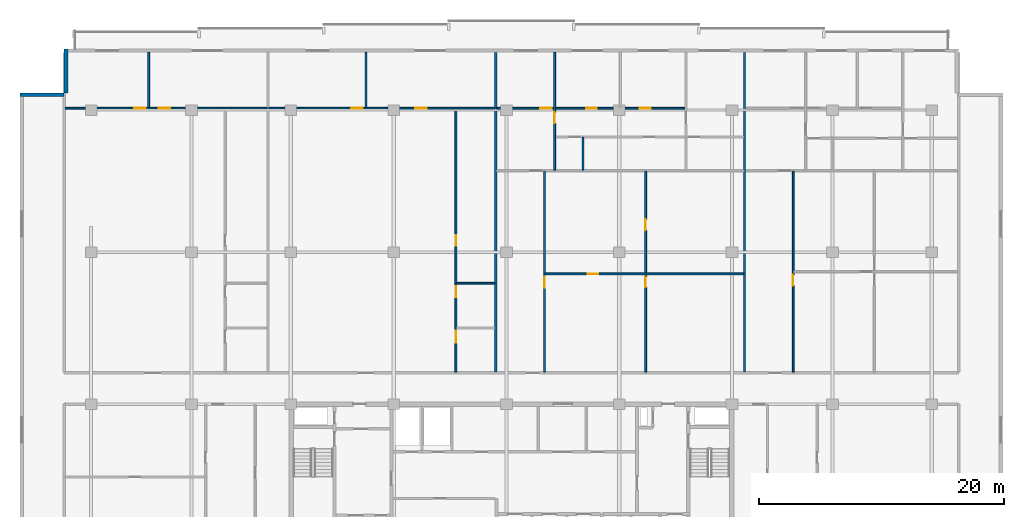
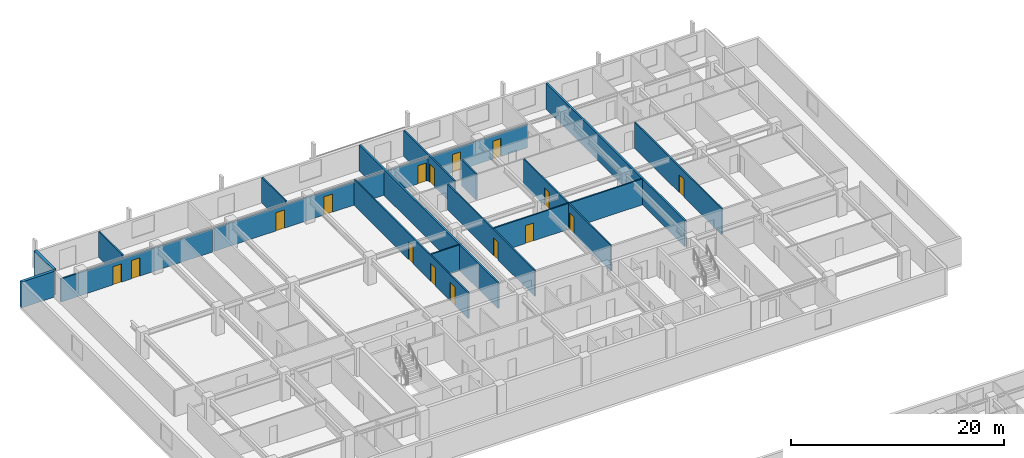
# One storey, part 14 of 22: 17 walls, 16 doors, 16 openings.
"""IFC4 building model written with IfcOpenShell, lengths in metres."""

from ifc_helpers import new_model, si_unit, direction, frame, frame_2d, origin, place, context, subcontext, project, spatial, rectangle, extrude, material, layer, layer_set, type_object, element, fill, save


model = new_model("IFC4")

# Units and contexts
model_context = context("Model", 3, precision=1e-05, world=origin(), true_north=direction((0.0, 1.0)))
body_context = subcontext(model_context, "Body", "Model", "MODEL_VIEW")
ifc_project = project(units=[si_unit("LENGTHUNIT", "METRE"), si_unit("AREAUNIT", "SQUARE_METRE"), si_unit("VOLUMEUNIT", "CUBIC_METRE"), si_unit("PLANEANGLEUNIT", "RADIAN"), si_unit("MASSUNIT", "GRAM", prefix="KILO")], contexts=[model_context])

# Site, building, storey
site_placement = place(None, origin())
site = spatial("IfcSite", under=ifc_project, at=site_placement, CompositionType="ELEMENT")
building_placement = place(site_placement, origin())
building = spatial("IfcBuilding", under=site, at=building_placement, Name="Korimba Cascade Residences", CompositionType="ELEMENT")
storey_placement = place(building_placement, frame((0.0, 0.0, 126.300048828125)))
storey = spatial("IfcBuildingStorey", under=building, at=storey_placement, Name="L36", CompositionType="ELEMENT", Elevation=126.300048828125)

# Walls
ifc_material_1 = material(Name="Precast concrete C40/50", Category="concrete")
ifc_layer_1 = layer(ifc_material_1, 0.300048828125)
ifc_layer_set_1 = layer_set([ifc_layer_1], Name="Precast concrete C40/50")
wall_type_1 = type_object("IfcWallType", Name="EW-STONE-300", PredefinedType="STANDARD", material=ifc_layer_set_1)
wall_1_placement = place(storey_placement, frame((57.75, 96.199951171875, 0.0), z_axis=(0.0, 0.0, 1.0), x_axis=(0.0, -1.0, 0.0)))
element("IfcWall", 1, at=wall_1_placement, inside=storey, type_object=wall_type_1, Name="L36 T1 Perimeter Stone Wall E07", PredefinedType="STANDARD", context=body_context, shape_type="SweptSolid", body=[
    extrude(rectangle(XDim=3.599853515625, YDim=0.300048828125, at=frame_2d((1.7998046875, 0.0))), origin(), (0.0, 0.0, 1.0), 2.969970703125),
])
wall_2_placement = place(storey_placement, frame((57.60009765625, 92.449951171875, 0.0), z_axis=(0.0, 0.0, 1.0), x_axis=(-1.0, 0.0, 0.0)))
element("IfcWall", 2, at=wall_2_placement, inside=storey, type_object=wall_type_1, Name="L36 T1 Perimeter Stone Wall E08", PredefinedType="STANDARD", context=body_context, shape_type="SweptSolid", body=[
    extrude(rectangle(XDim=3.60009765625, YDim=0.300048828125, at=frame_2d((1.800048828125, 0.0))), origin(), (0.0, 0.0, 1.0), 2.969970703125),
])
ifc_layer_2 = layer(ifc_material_1, 0.199951171875)
ifc_layer_set_2 = layer_set([ifc_layer_2], Name="Precast concrete C40/50")
wall_type_2 = type_object("IfcWallType", Name="WAL-IT-200", PredefinedType="PARTITIONING", material=ifc_layer_set_2)
for number, where, z_axis, x_axis, name in (
    (3, (92.83740234375, 69.830078125, 0.0), (0.0, 0.0, 1.0), (0.0, 1.0, 0.0), "L36 Partition Wall WAL-L36-T1-DEM-2"),
    (4, (113.125, 69.830078125, 0.0), (0.0, 0.0, 1.0), (0.0, 1.0, 0.0), "L36 Partition Wall WAL-L36-T1-DEM-3"),
):
    element("IfcWall", number, at=place(storey_placement, frame(where, z_axis=z_axis, x_axis=x_axis)), inside=storey, type_object=wall_type_2, Name=name, PredefinedType="PARTITIONING", context=body_context, shape_type="SweptSolid", body=[
        extrude(rectangle(XDim=26.06982421875, YDim=0.199951171875, at=frame_2d((13.034912109375, 0.0))), origin(), (0.0, 0.0, 1.0), 2.969970703125),
    ])
ifc_material_2 = material(Name="Insulated Acoustic Stud Partition", Category="gypsum")
ifc_layer_3 = layer(ifc_material_2, 0.14990234375)
ifc_layer_set_3 = layer_set([ifc_layer_3], Name="Insulated Acoustic Stud Partition")
wall_type_3 = type_object("IfcWallType", Name="WAL-PART-150", PredefinedType="PARTITIONING", material=ifc_layer_set_3)
wall_3_placement = place(storey_placement, frame((64.498779296875, 91.429931640625, 0.0), z_axis=(0.0, 0.0, 1.0), x_axis=(0.0, 1.0, 0.0)))
element("IfcWall", 5, at=wall_3_placement, inside=storey, type_object=wall_type_3, Name="L36 Partition Wall WAL-L36-T1-U01-OUTV", PredefinedType="PARTITIONING", context=body_context, shape_type="SweptSolid", body=[
    extrude(rectangle(XDim=4.469970703125, YDim=0.14990234375, at=frame_2d((2.23486328125, 0.0))), origin(), (0.0, 0.0, 1.0), 2.969970703125),
])

# Wall, openings, doors
wall_4_placement = place(storey_placement, frame((57.679931640625, 91.35009765625, 0.0), z_axis=(0.0, 0.0, 1.0), x_axis=(1.0, 0.0, 0.0)))
wall_4 = element("IfcWall", 6, at=wall_4_placement, inside=storey, type_object=wall_type_3, Name="L36 Partition Wall WAL-L36-T1-U01-HZ", PredefinedType="PARTITIONING", context=body_context, shape_type="SweptSolid", body=[
    extrude(rectangle(XDim=16.4775390625, YDim=0.14990234375, at=frame_2d((8.23876953125, 0.0))), origin(), (0.0, 0.0, 1.0), 2.663330078125),
])
opening_1_placement = place(wall_4_placement, frame((5.628662109375, 0.0, 0.0)))
opening_1 = element("IfcOpeningElement", 7, at=opening_1_placement, cuts=wall_4, Name="Opening D-IN0", PredefinedType="OPENING", context=body_context, shape_type="SweptSolid", body=[
    extrude(rectangle(XDim=0.93994140625, YDim=2.10009765625, at=frame_2d((0.469970703125, 1.050048828125))), frame((0.0, 0.0849609375, 0.0), z_axis=(0.0, -1.0, 0.0), x_axis=(1.0, 0.0, 0.0)), (0.0, 0.0, 1.0), 0.169921875),
])
opening_2_placement = place(wall_4_placement, frame((7.64453125, 0.0, 0.0)))
opening_2 = element("IfcOpeningElement", 8, at=opening_2_placement, cuts=wall_4, Name="Opening D-IN0", PredefinedType="OPENING", context=body_context, shape_type="SweptSolid", body=[
    extrude(rectangle(XDim=0.93994140625, YDim=2.10009765625, at=frame_2d((0.469970703125, 1.050048828125))), frame((0.0, 0.0849609375, 0.0), z_axis=(0.0, -1.0, 0.0), x_axis=(1.0, 0.0, 0.0)), (0.0, 0.0, 1.0), 0.169921875),
])
ifc_material_3 = material(Name="Acoustic Timber Living Archway Door", Category="wood")
door_type_1 = type_object("IfcDoorType", Name="DR-INT-950", OperationType="NOTDEFINED", PredefinedType="DOOR", material=ifc_material_3)
door_1_placement = place(opening_1_placement, origin())
door_1 = element("IfcDoor", 9, at=door_1_placement, inside=storey, type_object=door_type_1, Name="L36-T1-U01 Executive Co-Working Office Door", OperationType="SINGLE_SWING_RIGHT", OverallHeight=2.10009765625, OverallWidth=0.93994140625, PredefinedType="DOOR", context=body_context, shape_type="SweptSolid", body=[
    extrude(rectangle(XDim=0.93994140625, YDim=2.10009765625, at=frame_2d((0.469970703125, 1.050048828125))), frame((0.0, 0.02490234375, 0.0), z_axis=(0.0, -1.0, 0.0), x_axis=(1.0, 0.0, 0.0)), (0.0, 0.0, 1.0), 0.050048828125),
])
fill(opening_1, door_1)
door_2_placement = place(opening_2_placement, origin())
door_2 = element("IfcDoor", 10, at=door_2_placement, inside=storey, type_object=door_type_1, Name="L36-T1-U01 Focus Workstation Office Door", OperationType="SINGLE_SWING_LEFT", OverallHeight=2.10009765625, OverallWidth=0.93994140625, PredefinedType="DOOR", context=body_context, shape_type="SweptSolid", body=[
    extrude(rectangle(XDim=0.93994140625, YDim=2.10009765625, at=frame_2d((0.469970703125, 1.050048828125))), frame((0.0, 0.02490234375, 0.0), z_axis=(0.0, -1.0, 0.0), x_axis=(1.0, 0.0, 0.0)), (0.0, 0.0, 1.0), 0.050048828125),
])
fill(opening_2, door_2)

# Wall
wall_5_placement = place(storey_placement, frame((89.62744140625, 77.070068359375, 0.0), z_axis=(0.0, 0.0, 1.0), x_axis=(1.0, 0.0, 0.0)))
element("IfcWall", 11, at=wall_5_placement, inside=storey, type_object=wall_type_3, Name="L36 Partition Wall WAL-L36-T1-U02-WCH2", PredefinedType="PARTITIONING", context=body_context, shape_type="SweptSolid", body=[
    extrude(rectangle(XDim=3.130126953125, YDim=0.14990234375, at=frame_2d((1.56494140625, 0.0))), origin(), (0.0, 0.0, 1.0), 2.969970703125),
])

# Wall, openings, doors
wall_6_placement = place(storey_placement, frame((89.5673828125, 69.81005859375, 0.0), z_axis=(0.0, 0.0, 1.0), x_axis=(0.0, 1.0, 0.0)))
wall_6 = element("IfcWall", 12, at=wall_6_placement, inside=storey, type_object=wall_type_3, Name="L36 Partition Wall WAL-L36-T1-U02-WCV", PredefinedType="PARTITIONING", context=body_context, shape_type="SweptSolid", body=[
    extrude(rectangle(XDim=21.47998046875, YDim=0.14990234375, at=frame_2d((10.739990234375, 0.0))), origin(), (0.0, 0.0, 1.0), 2.969970703125),
])
opening_3_placement = place(wall_6_placement, frame((2.406005859375, 0.0, 0.0)))
opening_3 = element("IfcOpeningElement", 13, at=opening_3_placement, cuts=wall_6, Name="Opening D-AC1", PredefinedType="OPENING", context=body_context, shape_type="SweptSolid", body=[
    extrude(rectangle(XDim=0.9599609375, YDim=2.10009765625, at=frame_2d((0.47998046875, 1.050048828125))), frame((0.0, 0.0849609375, 0.0), z_axis=(0.0, -1.0, 0.0), x_axis=(1.0, 0.0, 0.0)), (0.0, 0.0, 1.0), 0.169921875),
])
opening_4_placement = place(wall_6_placement, frame((6.132568359375, 0.0, 0.0)))
opening_4 = element("IfcOpeningElement", 14, at=opening_4_placement, cuts=wall_6, Name="Opening D-IN2", PredefinedType="OPENING", context=body_context, shape_type="SweptSolid", body=[
    extrude(rectangle(XDim=0.8798828125, YDim=2.06005859375, at=frame_2d((0.43994140625, 1.030029296875))), frame((0.0, 0.0849609375, 0.0), z_axis=(0.0, -1.0, 0.0), x_axis=(1.0, 0.0, 0.0)), (0.0, 0.0, 1.0), 0.169921875),
])
opening_5_placement = place(wall_6_placement, frame((10.320068359375, 0.0, 0.0)))
opening_5 = element("IfcOpeningElement", 15, at=opening_5_placement, cuts=wall_6, Name="Opening D-BT1", PredefinedType="OPENING", context=body_context, shape_type="SweptSolid", body=[
    extrude(rectangle(XDim=0.840087890625, YDim=2.0400390625, at=frame_2d((0.419921875, 1.02001953125))), frame((0.0, 0.0849609375, 0.0), z_axis=(0.0, -1.0, 0.0), x_axis=(1.0, 0.0, 0.0)), (0.0, 0.0, 1.0), 0.169921875),
])
ifc_material_4 = material(Name="Accessible Acoustic Timber WC Door", Category="wood")
door_type_2 = type_object("IfcDoorType", Name="DR-ACC-950", OperationType="NOTDEFINED", PredefinedType="DOOR", material=ifc_material_4)
door_3_placement = place(opening_3_placement, origin())
door_3 = element("IfcDoor", 16, at=door_3_placement, inside=storey, type_object=door_type_2, Name="L36-T1-U02 Accessible WC Door", OperationType="SINGLE_SWING_RIGHT", OverallHeight=2.10009765625, OverallWidth=0.9599609375, PredefinedType="DOOR", context=body_context, shape_type="SweptSolid", body=[
    extrude(rectangle(XDim=0.9599609375, YDim=2.10009765625, at=frame_2d((0.47998046875, 1.050048828125))), frame((0.0, 0.02490234375, 0.0), z_axis=(0.0, -1.0, 0.0), x_axis=(1.0, 0.0, 0.0)), (0.0, 0.0, 1.0), 0.050048828125),
])
fill(opening_3, door_3)
ifc_material_5 = material(Name="Moisture-Resistant Bathroom Timber Door", Category="wood")
door_type_3 = type_object("IfcDoorType", Name="DR-INT-850", OperationType="NOTDEFINED", PredefinedType="DOOR", material=ifc_material_5)
door_4_placement = place(opening_5_placement, origin())
door_4 = element("IfcDoor", 17, at=door_4_placement, inside=storey, type_object=door_type_3, Name="L36-T1-U02 Suite Store Door", OperationType="SINGLE_SWING_RIGHT", OverallHeight=2.0400390625, OverallWidth=0.840087890625, PredefinedType="DOOR", context=body_context, shape_type="SweptSolid", body=[
    extrude(rectangle(XDim=0.840087890625, YDim=2.0400390625, at=frame_2d((0.419921875, 1.02001953125))), frame((0.0, 0.02490234375, 0.0), z_axis=(0.0, -1.0, 0.0), x_axis=(1.0, 0.0, 0.0)), (0.0, 0.0, 1.0), 0.050048828125),
])
fill(opening_5, door_4)
ifc_material_6 = material(Name="Acoustic Timber Bedroom Door", Category="wood")
door_type_4 = type_object("IfcDoorType", Name="DR-INT-880", OperationType="NOTDEFINED", PredefinedType="DOOR", material=ifc_material_6)
door_5_placement = place(opening_4_placement, origin())
door_5 = element("IfcDoor", 18, at=door_5_placement, inside=storey, type_object=door_type_4, Name="L36-T1-U02 Restroom WC Door", OperationType="SINGLE_SWING_LEFT", OverallHeight=2.06005859375, OverallWidth=0.8798828125, PredefinedType="DOOR", context=body_context, shape_type="SweptSolid", body=[
    extrude(rectangle(XDim=0.8798828125, YDim=2.06005859375, at=frame_2d((0.43994140625, 1.030029296875))), frame((0.0, 0.02490234375, 0.0), z_axis=(0.0, -1.0, 0.0), x_axis=(1.0, 0.0, 0.0)), (0.0, 0.0, 1.0), 0.050048828125),
])
fill(opening_4, door_5)

# Wall
wall_7_placement = place(storey_placement, frame((82.232421875, 91.429931640625, 0.0), z_axis=(0.0, 0.0, 1.0), x_axis=(0.0, 1.0, 0.0)))
element("IfcWall", 19, at=wall_7_placement, inside=storey, type_object=wall_type_3, Name="L36 Partition Wall WAL-L36-T1-U02-OUTV", PredefinedType="PARTITIONING", context=body_context, shape_type="SweptSolid", body=[
    extrude(rectangle(XDim=4.469970703125, YDim=0.14990234375, at=frame_2d((2.23486328125, 0.0))), origin(), (0.0, 0.0, 1.0), 2.969970703125),
])

# Wall, openings, doors
wall_8_placement = place(storey_placement, frame((74.3173828125, 91.35009765625, 0.0), z_axis=(0.0, 0.0, 1.0), x_axis=(1.0, 0.0, 0.0)))
wall_8 = element("IfcWall", 20, at=wall_8_placement, inside=storey, type_object=wall_type_3, Name="L36 Partition Wall WAL-L36-T1-U02-HZ", PredefinedType="PARTITIONING", context=body_context, shape_type="SweptSolid", body=[
    extrude(rectangle(XDim=18.440185546875, YDim=0.14990234375, at=frame_2d((9.22021484375, 0.0))), origin(), (0.0, 0.0, 1.0), 2.663330078125),
])
opening_6_placement = place(wall_8_placement, frame((6.72509765625, 0.0, 0.0)))
opening_6 = element("IfcOpeningElement", 21, at=opening_6_placement, cuts=wall_8, Name="Opening D-IN0", PredefinedType="OPENING", context=body_context, shape_type="SweptSolid", body=[
    extrude(rectangle(XDim=0.93994140625, YDim=2.10009765625, at=frame_2d((0.469970703125, 1.050048828125))), frame((0.0, 0.0849609375, 0.0), z_axis=(0.0, -1.0, 0.0), x_axis=(1.0, 0.0, 0.0)), (0.0, 0.0, 1.0), 0.169921875),
])
opening_7_placement = place(wall_8_placement, frame((11.937744140625, 0.0, 0.0)))
opening_7 = element("IfcOpeningElement", 22, at=opening_7_placement, cuts=wall_8, Name="Opening D-IN0", PredefinedType="OPENING", context=body_context, shape_type="SweptSolid", body=[
    extrude(rectangle(XDim=0.93994140625, YDim=2.10009765625, at=frame_2d((0.469970703125, 1.050048828125))), frame((0.0, 0.0849609375, 0.0), z_axis=(0.0, -1.0, 0.0), x_axis=(1.0, 0.0, 0.0)), (0.0, 0.0, 1.0), 0.169921875),
])
door_6_placement = place(opening_6_placement, origin())
door_6 = element("IfcDoor", 23, at=door_6_placement, inside=storey, type_object=door_type_1, Name="L36-T1-U02 Resident Boardroom Door", OperationType="SINGLE_SWING_LEFT", OverallHeight=2.10009765625, OverallWidth=0.93994140625, PredefinedType="DOOR", context=body_context, shape_type="SweptSolid", body=[
    extrude(rectangle(XDim=0.93994140625, YDim=2.10009765625, at=frame_2d((0.469970703125, 1.050048828125))), frame((0.0, 0.02490234375, 0.0), z_axis=(0.0, -1.0, 0.0), x_axis=(1.0, 0.0, 0.0)), (0.0, 0.0, 1.0), 0.050048828125),
])
fill(opening_6, door_6)
door_7_placement = place(opening_7_placement, origin())
door_7 = element("IfcDoor", 24, at=door_7_placement, inside=storey, type_object=door_type_1, Name="L36-T1-U02 Executive Seminar Room Door", OperationType="SINGLE_SWING_RIGHT", OverallHeight=2.10009765625, OverallWidth=0.93994140625, PredefinedType="DOOR", context=body_context, shape_type="SweptSolid", body=[
    extrude(rectangle(XDim=0.93994140625, YDim=2.10009765625, at=frame_2d((0.469970703125, 1.050048828125))), frame((0.0, 0.02490234375, 0.0), z_axis=(0.0, -1.0, 0.0), x_axis=(1.0, 0.0, 0.0)), (0.0, 0.0, 1.0), 0.050048828125),
])
fill(opening_7, door_7)

wall_9_placement = place(storey_placement, frame((105.05615234375, 69.81005859375, 0.0), z_axis=(0.0, 0.0, 1.0), x_axis=(0.0, 1.0, 0.0)))
wall_9 = element("IfcWall", 25, at=wall_9_placement, inside=storey, type_object=wall_type_3, Name="L36 Partition Wall WAL-L36-T1-U03-FMV", PredefinedType="PARTITIONING", context=body_context, shape_type="SweptSolid", body=[
    extrude(rectangle(XDim=16.39990234375, YDim=0.14990234375, at=frame_2d((8.199951171875, 0.0))), origin(), (0.0, 0.0, 1.0), 2.969970703125),
])
opening_8_placement = place(wall_9_placement, frame((6.929931640625, 0.0, 0.0)))
opening_8 = element("IfcOpeningElement", 26, at=opening_8_placement, cuts=wall_9, Name="Opening D-BT1", PredefinedType="OPENING", context=body_context, shape_type="SweptSolid", body=[
    extrude(rectangle(XDim=0.840087890625, YDim=2.0400390625, at=frame_2d((0.419921875, 1.02001953125))), frame((0.0, 0.0849609375, 0.0), z_axis=(0.0, -1.0, 0.0), x_axis=(1.0, 0.0, 0.0)), (0.0, 0.0, 1.0), 0.169921875),
])
opening_9_placement = place(wall_9_placement, frame((11.58203125, 0.0, 0.0)))
opening_9 = element("IfcOpeningElement", 27, at=opening_9_placement, cuts=wall_9, Name="Opening D-IN2", PredefinedType="OPENING", context=body_context, shape_type="SweptSolid", body=[
    extrude(rectangle(XDim=0.8798828125, YDim=2.06005859375, at=frame_2d((0.43994140625, 1.030029296875))), frame((0.0, 0.0849609375, 0.0), z_axis=(0.0, -1.0, 0.0), x_axis=(1.0, 0.0, 0.0)), (0.0, 0.0, 1.0), 0.169921875),
])
door_8_placement = place(opening_8_placement, origin())
door_8 = element("IfcDoor", 28, at=door_8_placement, inside=storey, type_object=door_type_3, Name="L36-T1-U03 Wardrobe Door", OperationType="SINGLE_SWING_LEFT", OverallHeight=2.0400390625, OverallWidth=0.840087890625, PredefinedType="DOOR", context=body_context, shape_type="SweptSolid", body=[
    extrude(rectangle(XDim=0.840087890625, YDim=2.0400390625, at=frame_2d((0.419921875, 1.02001953125))), frame((0.0, 0.02490234375, 0.0), z_axis=(0.0, -1.0, 0.0), x_axis=(1.0, 0.0, 0.0)), (0.0, 0.0, 1.0), 0.050048828125),
])
fill(opening_8, door_8)
door_9_placement = place(opening_9_placement, origin())
door_9 = element("IfcDoor", 29, at=door_9_placement, inside=storey, type_object=door_type_4, Name="L36-T1-U03 Music Lounge Door", OperationType="SINGLE_SWING_RIGHT", OverallHeight=2.06005859375, OverallWidth=0.8798828125, PredefinedType="DOOR", context=body_context, shape_type="SweptSolid", body=[
    extrude(rectangle(XDim=0.8798828125, YDim=2.06005859375, at=frame_2d((0.43994140625, 1.030029296875))), frame((0.0, 0.02490234375, 0.0), z_axis=(0.0, -1.0, 0.0), x_axis=(1.0, 0.0, 0.0)), (0.0, 0.0, 1.0), 0.050048828125),
])
fill(opening_9, door_9)

# Wall, opening, door
wall_10_placement = place(storey_placement, frame((96.867431640625, 77.830078125, 0.0), z_axis=(0.0, 0.0, 1.0), x_axis=(1.0, 0.0, 0.0)))
wall_10 = element("IfcWall", 30, at=wall_10_placement, inside=storey, type_object=wall_type_3, Name="L36 Partition Wall WAL-L36-T1-U03-FMH", PredefinedType="PARTITIONING", context=body_context, shape_type="SweptSolid", body=[
    extrude(rectangle(XDim=16.177490234375, YDim=0.14990234375, at=frame_2d((8.0888671875, 0.0))), origin(), (0.0, 0.0, 1.0), 2.969970703125),
])
opening_10_placement = place(wall_10_placement, frame((3.44970703125, 0.0, 0.0)))
opening_10 = element("IfcOpeningElement", 31, at=opening_10_placement, cuts=wall_10, Name="Opening D-IN2", PredefinedType="OPENING", context=body_context, shape_type="SweptSolid", body=[
    extrude(rectangle(XDim=0.8798828125, YDim=2.06005859375, at=frame_2d((0.43994140625, 1.030029296875))), frame((0.0, 0.0849609375, 0.0), z_axis=(0.0, -1.0, 0.0), x_axis=(1.0, 0.0, 0.0)), (0.0, 0.0, 1.0), 0.169921875),
])
door_10_placement = place(opening_10_placement, origin())
door_10 = element("IfcDoor", 32, at=door_10_placement, inside=storey, type_object=door_type_4, Name="L36-T1-U03 Library Salon Door", OperationType="SINGLE_SWING_LEFT", OverallHeight=2.06005859375, OverallWidth=0.8798828125, PredefinedType="DOOR", context=body_context, shape_type="SweptSolid", body=[
    extrude(rectangle(XDim=0.8798828125, YDim=2.06005859375, at=frame_2d((0.43994140625, 1.030029296875))), frame((0.0, 0.02490234375, 0.0), z_axis=(0.0, -1.0, 0.0), x_axis=(1.0, 0.0, 0.0)), (0.0, 0.0, 1.0), 0.050048828125),
])
fill(opening_10, door_10)

wall_11_placement = place(storey_placement, frame((96.8076171875, 69.81005859375, 0.0), z_axis=(0.0, 0.0, 1.0), x_axis=(0.0, 1.0, 0.0)))
wall_11 = element("IfcWall", 33, at=wall_11_placement, inside=storey, type_object=wall_type_3, Name="L36 Partition Wall WAL-L36-T1-U03-FV", PredefinedType="PARTITIONING", context=body_context, shape_type="SweptSolid", body=[
    extrude(rectangle(XDim=16.39990234375, YDim=0.14990234375, at=frame_2d((8.199951171875, 0.0))), origin(), (0.0, 0.0, 1.0), 2.969970703125),
])
opening_11_placement = place(wall_11_placement, frame((6.889892578125, 0.0, 0.0)))
opening_11 = element("IfcOpeningElement", 34, at=opening_11_placement, cuts=wall_11, Name="Opening D-IN2", PredefinedType="OPENING", context=body_context, shape_type="SweptSolid", body=[
    extrude(rectangle(XDim=0.8798828125, YDim=2.06005859375, at=frame_2d((0.43994140625, 1.030029296875))), frame((0.0, 0.0849609375, 0.0), z_axis=(0.0, -1.0, 0.0), x_axis=(1.0, 0.0, 0.0)), (0.0, 0.0, 1.0), 0.169921875),
])
door_11_placement = place(opening_11_placement, origin())
door_11 = element("IfcDoor", 35, at=door_11_placement, inside=storey, type_object=door_type_4, Name="L36-T1-U03 Media Lounge Door", OperationType="SINGLE_SWING_RIGHT", OverallHeight=2.06005859375, OverallWidth=0.8798828125, PredefinedType="DOOR", context=body_context, shape_type="SweptSolid", body=[
    extrude(rectangle(XDim=0.8798828125, YDim=2.06005859375, at=frame_2d((0.43994140625, 1.030029296875))), frame((0.0, 0.02490234375, 0.0), z_axis=(0.0, -1.0, 0.0), x_axis=(1.0, 0.0, 0.0)), (0.0, 0.0, 1.0), 0.050048828125),
])
fill(opening_11, door_11)

# Wall
wall_12_placement = place(storey_placement, frame((99.9375, 86.2900390625, 0.0), z_axis=(0.0, 0.0, 1.0), x_axis=(0.0, 1.0, 0.0)))
element("IfcWall", 36, at=wall_12_placement, inside=storey, type_object=wall_type_3, Name="L36 Partition Wall WAL-L36-T1-U03-VDRS", PredefinedType="PARTITIONING", context=body_context, shape_type="SweptSolid", body=[
    extrude(rectangle(XDim=2.68994140625, YDim=0.14990234375, at=frame_2d((1.344970703125, 0.0))), origin(), (0.0, 0.0, 1.0), 2.969970703125),
])

# Wall, opening, door
wall_13_placement = place(storey_placement, frame((97.62744140625, 86.2900390625, 0.0), z_axis=(0.0, 0.0, 1.0), x_axis=(0.0, 1.0, 0.0)))
wall_13 = element("IfcWall", 37, at=wall_13_placement, inside=storey, type_object=wall_type_3, Name="L36 Partition Wall WAL-L36-T1-U03-V1", PredefinedType="PARTITIONING", context=body_context, shape_type="SweptSolid", body=[
    extrude(rectangle(XDim=9.60986328125, YDim=0.14990234375, at=frame_2d((4.804931640625, 0.0))), origin(), (0.0, 0.0, 1.0), 2.969970703125),
])
opening_12_placement = place(wall_13_placement, frame((3.820068359375, 0.0, 0.0)))
opening_12 = element("IfcOpeningElement", 38, at=opening_12_placement, cuts=wall_13, Name="Opening D-IN1", PredefinedType="OPENING", context=body_context, shape_type="SweptSolid", body=[
    extrude(rectangle(XDim=0.919921875, YDim=2.080078125, at=frame_2d((0.4599609375, 1.0400390625))), frame((0.0, 0.0849609375, 0.0), z_axis=(0.0, -1.0, 0.0), x_axis=(1.0, 0.0, 0.0)), (0.0, 0.0, 1.0), 0.169921875),
])
ifc_material_7 = material(Name="Acoustic Timber Living Door", Category="wood")
door_type_5 = type_object("IfcDoorType", Name="DR-INT-920", OperationType="NOTDEFINED", PredefinedType="DOOR", material=ifc_material_7)
door_12_placement = place(opening_12_placement, origin())
door_12 = element("IfcDoor", 39, at=door_12_placement, inside=storey, type_object=door_type_5, Name="L36-T1-U03 Hallway Door", OperationType="SINGLE_SWING_LEFT", OverallHeight=2.080078125, OverallWidth=0.919921875, PredefinedType="DOOR", context=body_context, shape_type="SweptSolid", body=[
    extrude(rectangle(XDim=0.919921875, YDim=2.080078125, at=frame_2d((0.4599609375, 1.0400390625))), frame((0.0, 0.02490234375, 0.0), z_axis=(0.0, -1.0, 0.0), x_axis=(1.0, 0.0, 0.0)), (0.0, 0.0, 1.0), 0.050048828125),
])
fill(opening_12, door_12)

# Wall, openings, doors
wall_14_placement = place(storey_placement, frame((92.91748046875, 91.35009765625, 0.0), z_axis=(0.0, 0.0, 1.0), x_axis=(1.0, 0.0, 0.0)))
wall_14 = element("IfcWall", 40, at=wall_14_placement, inside=storey, type_object=wall_type_3, Name="L36 Partition Wall WAL-L36-T1-U03-HZ", PredefinedType="PARTITIONING", context=body_context, shape_type="SweptSolid", body=[
    extrude(rectangle(XDim=15.4375, YDim=0.14990234375, at=frame_2d((7.71875, 0.0))), origin(), (0.0, 0.0, 1.0), 2.663330078125),
])
opening_13_placement = place(wall_14_placement, frame((3.52001953125, 0.0, 0.0)))
opening_13 = element("IfcOpeningElement", 41, at=opening_13_placement, cuts=wall_14, Name="Opening D-IN0", PredefinedType="OPENING", context=body_context, shape_type="SweptSolid", body=[
    extrude(rectangle(XDim=0.93994140625, YDim=2.10009765625, at=frame_2d((0.469970703125, 1.050048828125))), frame((0.0, 0.0849609375, 0.0), z_axis=(0.0, -1.0, 0.0), x_axis=(1.0, 0.0, 0.0)), (0.0, 0.0, 1.0), 0.169921875),
])
opening_14_placement = place(wall_14_placement, frame((7.27880859375, 0.0, 0.0)))
opening_14 = element("IfcOpeningElement", 42, at=opening_14_placement, cuts=wall_14, Name="Opening D-IN2", PredefinedType="OPENING", context=body_context, shape_type="SweptSolid", body=[
    extrude(rectangle(XDim=0.8798828125, YDim=2.06005859375, at=frame_2d((0.43994140625, 1.030029296875))), frame((0.0, 0.0849609375, 0.0), z_axis=(0.0, -1.0, 0.0), x_axis=(1.0, 0.0, 0.0)), (0.0, 0.0, 1.0), 0.169921875),
])
opening_15_placement = place(wall_14_placement, frame((11.668701171875, 0.0, 0.0)))
opening_15 = element("IfcOpeningElement", 43, at=opening_15_placement, cuts=wall_14, Name="Opening D-IN2", PredefinedType="OPENING", context=body_context, shape_type="SweptSolid", body=[
    extrude(rectangle(XDim=0.8798828125, YDim=2.06005859375, at=frame_2d((0.43994140625, 1.030029296875))), frame((0.0, 0.0849609375, 0.0), z_axis=(0.0, -1.0, 0.0), x_axis=(1.0, 0.0, 0.0)), (0.0, 0.0, 1.0), 0.169921875),
])
door_13_placement = place(opening_14_placement, origin())
door_13 = element("IfcDoor", 44, at=door_13_placement, inside=storey, type_object=door_type_4, Name="L36-T1-U03 Bedroom 2 Door", OperationType="SINGLE_SWING_RIGHT", OverallHeight=2.06005859375, OverallWidth=0.8798828125, PredefinedType="DOOR", context=body_context, shape_type="SweptSolid", body=[
    extrude(rectangle(XDim=0.8798828125, YDim=2.06005859375, at=frame_2d((0.43994140625, 1.030029296875))), frame((0.0, 0.02490234375, 0.0), z_axis=(0.0, -1.0, 0.0), x_axis=(1.0, 0.0, 0.0)), (0.0, 0.0, 1.0), 0.050048828125),
])
fill(opening_14, door_13)
door_14_placement = place(opening_15_placement, origin())
door_14 = element("IfcDoor", 45, at=door_14_placement, inside=storey, type_object=door_type_4, Name="L36-T1-U03 Bedroom 3 Door", OperationType="SINGLE_SWING_LEFT", OverallHeight=2.06005859375, OverallWidth=0.8798828125, PredefinedType="DOOR", context=body_context, shape_type="SweptSolid", body=[
    extrude(rectangle(XDim=0.8798828125, YDim=2.06005859375, at=frame_2d((0.43994140625, 1.030029296875))), frame((0.0, 0.02490234375, 0.0), z_axis=(0.0, -1.0, 0.0), x_axis=(1.0, 0.0, 0.0)), (0.0, 0.0, 1.0), 0.050048828125),
])
fill(opening_15, door_14)
door_15_placement = place(opening_13_placement, origin())
door_15 = element("IfcDoor", 46, at=door_15_placement, inside=storey, type_object=door_type_1, Name="L36-T1-U03 Living Room Door", OperationType="SINGLE_SWING_LEFT", OverallHeight=2.10009765625, OverallWidth=0.93994140625, PredefinedType="DOOR", context=body_context, shape_type="SweptSolid", body=[
    extrude(rectangle(XDim=0.93994140625, YDim=2.10009765625, at=frame_2d((0.469970703125, 1.050048828125))), frame((0.0, 0.02490234375, 0.0), z_axis=(0.0, -1.0, 0.0), x_axis=(1.0, 0.0, 0.0)), (0.0, 0.0, 1.0), 0.050048828125),
])
fill(opening_13, door_15)

# Wall, opening, door
wall_15_placement = place(storey_placement, frame((117.094970703125, 69.81005859375, 0.0), z_axis=(0.0, 0.0, 1.0), x_axis=(0.0, 1.0, 0.0)))
wall_15 = element("IfcWall", 47, at=wall_15_placement, inside=storey, type_object=wall_type_3, Name="L36 Partition Wall WAL-L36-T1-U04-FV", PredefinedType="PARTITIONING", context=body_context, shape_type="SweptSolid", body=[
    extrude(rectangle(XDim=16.39990234375, YDim=0.14990234375, at=frame_2d((8.199951171875, 0.0))), origin(), (0.0, 0.0, 1.0), 2.969970703125),
])
opening_16_placement = place(wall_15_placement, frame((7.070068359375, 0.0, 0.0)))
opening_16 = element("IfcOpeningElement", 48, at=opening_16_placement, cuts=wall_15, Name="Opening D-IN2", PredefinedType="OPENING", context=body_context, shape_type="SweptSolid", body=[
    extrude(rectangle(XDim=0.8798828125, YDim=2.06005859375, at=frame_2d((0.43994140625, 1.030029296875))), frame((0.0, 0.0849609375, 0.0), z_axis=(0.0, -1.0, 0.0), x_axis=(1.0, 0.0, 0.0)), (0.0, 0.0, 1.0), 0.169921875),
])
door_16_placement = place(opening_16_placement, origin())
door_16 = element("IfcDoor", 49, at=door_16_placement, inside=storey, type_object=door_type_4, Name="L36-T1-U04 Media Lounge Door", OperationType="SINGLE_SWING_LEFT", OverallHeight=2.06005859375, OverallWidth=0.8798828125, PredefinedType="DOOR", context=body_context, shape_type="SweptSolid", body=[
    extrude(rectangle(XDim=0.8798828125, YDim=2.06005859375, at=frame_2d((0.43994140625, 1.030029296875))), frame((0.0, 0.02490234375, 0.0), z_axis=(0.0, -1.0, 0.0), x_axis=(1.0, 0.0, 0.0)), (0.0, 0.0, 1.0), 0.050048828125),
])
fill(opening_16, door_16)

save(model, "model.ifc")
